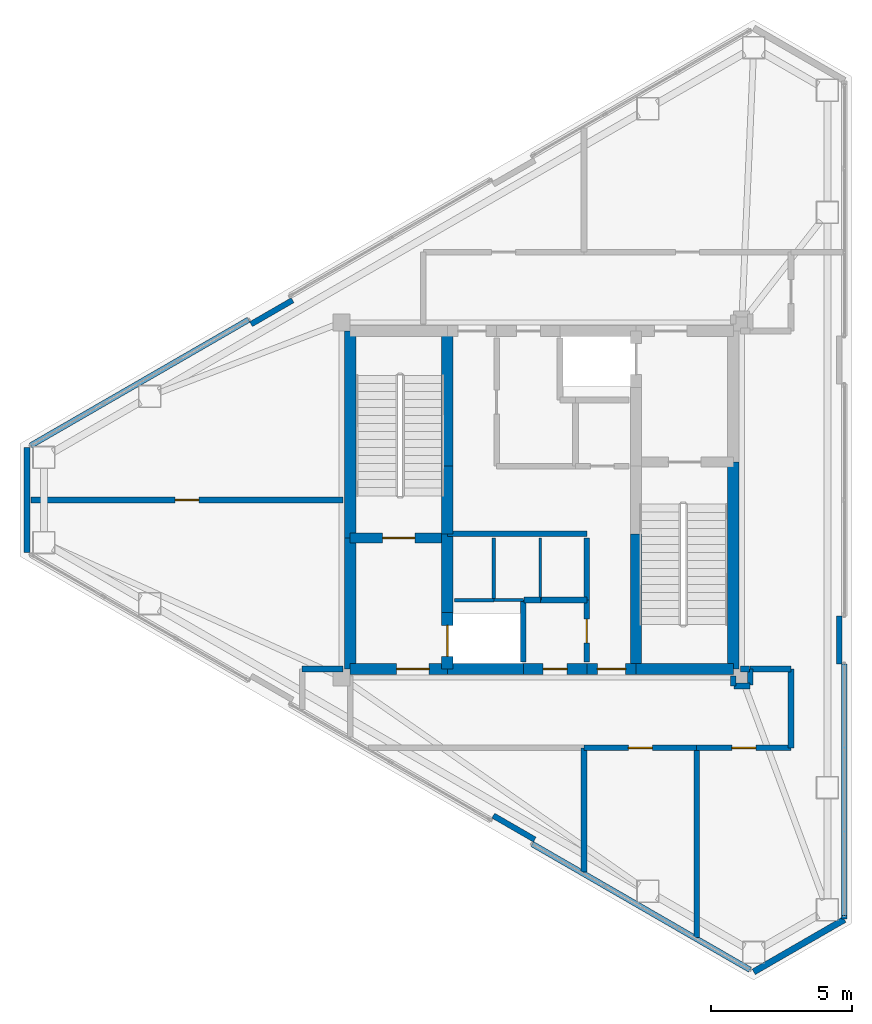
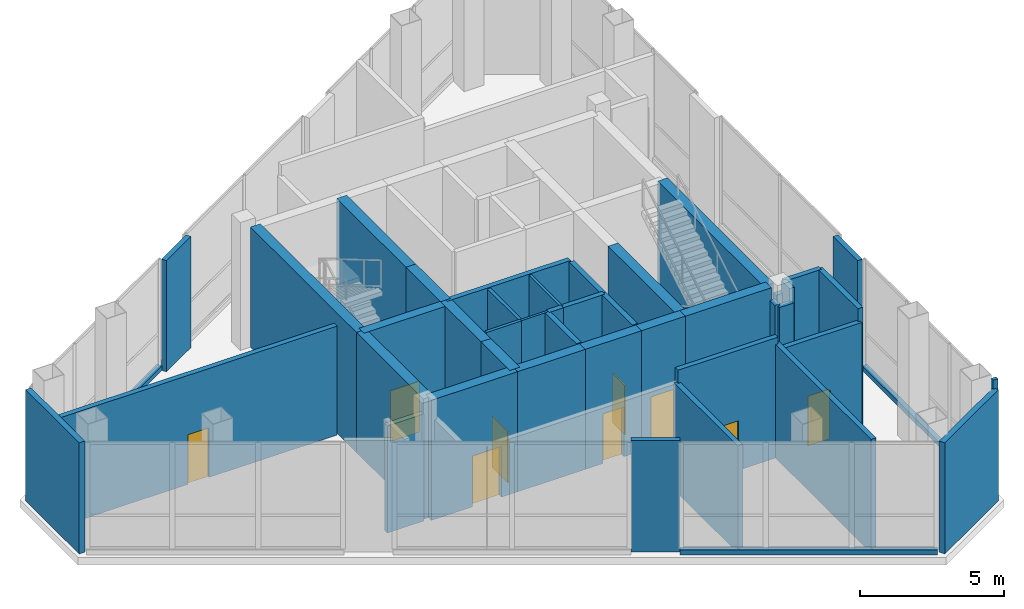
# One storey, part 10 of 13: 45 walls, 9 doors, 9 openings.
"""IFC4 building model written with IfcOpenShell, lengths in metres."""

import ifcopenshell
import ifcopenshell.guid

model = None  # the IFC model being written
_history = None  # IfcOwnerHistory: only IFC2X3 demands one
_inside = {}  # id of a spatial element -> (the spatial element, [elements in it])
_under = {}  # id of a project, library or spatial element -> (it, [spatial elements below it])
_declared = {}  # id of a project -> (the project, [libraries it declares])
_typed = {}  # id of a type object -> (the type object, [elements of that type])
_made_of = {}  # id of a material, layer set ... -> (it, [elements and type objects made of it])


def new_model(schema):
    """Start an empty IFC model of exactly this schema.

    Asked for "IFC4X3", IfcOpenShell would pick the latest addendum, in which some entities
    have other attributes; the version numbers below select the first issue.
    IFC2X3 requires an IfcOwnerHistory on every rooted entity: one is made here for all.
    """
    global model, _history
    if schema == "IFC4X3":
        model = ifcopenshell.file(schema_version=(4, 3, 0, 0))
    else:
        model = ifcopenshell.file(schema=schema)
    _inside.clear()
    _under.clear()
    _declared.clear()
    _typed.clear()
    _made_of.clear()
    _history = None
    if model.schema == "IFC2X3":
        org = make("IfcOrganization", Name="unknown")
        user = make(
            "IfcPersonAndOrganization",
            ThePerson=make("IfcPerson", FamilyName="unknown"),
            TheOrganization=org,
        )
        app = make(
            "IfcApplication",
            ApplicationDeveloper=org,
            Version="unknown",
            ApplicationFullName="unknown",
            ApplicationIdentifier="unknown",
        )
        _history = make(
            "IfcOwnerHistory",
            OwningUser=user,
            OwningApplication=app,
            ChangeAction="ADDED",
            CreationDate=0,
        )
    return model


def make(cls, **values):
    """One entity of the class cls with the attributes given. An attribute that is None is left unset."""
    return model.create_entity(
        cls, **{name: value for name, value in values.items() if value is not None}
    )


def rooted(cls, **values):
    """An entity with a GlobalId (a new one), such as an element, a storey or a relation."""
    return make(cls, GlobalId=ifcopenshell.guid.new(), OwnerHistory=_history, **values)


def si_unit(unit_type, name, prefix=None):
    """IfcSIUnit, for example si_unit("LENGTHUNIT", "METRE", prefix="MILLI")."""
    return make("IfcSIUnit", UnitType=unit_type, Prefix=prefix, Name=name)


def assignment(units):
    """IfcUnitAssignment: the units of a project."""
    return None if units is None else make("IfcUnitAssignment", Units=units)


def point(xyz):
    """IfcCartesianPoint."""
    return None if xyz is None else make("IfcCartesianPoint", Coordinates=xyz)


def direction(xyz):
    """IfcDirection."""
    return None if xyz is None else make("IfcDirection", DirectionRatios=xyz)


def frame(location, z_axis=None, x_axis=None):
    """IfcAxis2Placement3D, a coordinate frame: its origin and axes. An axis left out is left unset."""
    return make(
        "IfcAxis2Placement3D",
        Location=point(location),
        Axis=direction(z_axis),
        RefDirection=direction(x_axis),
    )


def frame_2d(location, x_axis=None):
    """IfcAxis2Placement2D, a coordinate frame in the plane: its origin and x axis."""
    return make(
        "IfcAxis2Placement2D", Location=point(location), RefDirection=direction(x_axis)
    )


def origin():
    """The frame at (0, 0, 0) with its axes left unset."""
    return frame((0.0, 0.0, 0.0))


def place(relative_to, where):
    """IfcLocalPlacement: puts the frame where relative to a parent placement (None: the world)."""
    return make(
        "IfcLocalPlacement", PlacementRelTo=relative_to, RelativePlacement=where
    )


def context(
    kind, dimensions, precision=None, world=None, true_north=None, identifier=None
):
    """IfcGeometricRepresentationContext, for example the 3D "Model" context."""
    return make(
        "IfcGeometricRepresentationContext",
        ContextIdentifier=identifier,
        ContextType=kind,
        CoordinateSpaceDimension=dimensions,
        Precision=precision,
        WorldCoordinateSystem=world,
        TrueNorth=true_north,
    )


def subcontext(parent, identifier, kind, view, scale=None):
    """IfcGeometricRepresentationSubContext, for example "Body" below "Model"."""
    return make(
        "IfcGeometricRepresentationSubContext",
        ContextIdentifier=identifier,
        ContextType=kind,
        ParentContext=parent,
        TargetScale=scale,
        TargetView=view,
    )


def project(units=None, contexts=None):
    """IfcProject with its units and contexts."""
    return rooted(
        "IfcProject",
        Name="project",
        RepresentationContexts=contexts,
        UnitsInContext=assignment(units),
    )


def spatial(cls, under=None, at=None, **own):
    """A site, building, storey or space (cls), placed at a placement, below another one or the project."""
    s = rooted(cls, ObjectPlacement=at, **own)
    if under is not None:
        _under.setdefault(under.id(), (under, []))[1].append(s)
    return s


def profile(cls, at=None, kind="AREA", **sizes):
    """A parametric profile (cls). Its sizes go by their IFC names, for example OverallWidth=200.0."""
    return make(cls, ProfileType=kind, Position=at, **sizes)


def rectangle(**sizes):
    """IfcRectangleProfileDef."""
    return profile("IfcRectangleProfileDef", **sizes)


def extrude(swept, where, along, depth):
    """IfcExtrudedAreaSolid: the profile swept, set in the frame where, extruded along a direction by depth."""
    return make(
        "IfcExtrudedAreaSolid",
        SweptArea=swept,
        Position=where,
        ExtrudedDirection=direction(along),
        Depth=depth,
    )


def shape(context_of_items, identifier, shape_type, items):
    """IfcShapeRepresentation: the items that make up one representation, for example the "Body"."""
    return make(
        "IfcShapeRepresentation",
        ContextOfItems=context_of_items,
        RepresentationIdentifier=identifier,
        RepresentationType=shape_type,
        Items=items,
    )


def material(Name=None, Category=None):
    """IfcMaterial."""
    return make("IfcMaterial", Name=Name, Category=Category)


def layer(
    of_material, thickness, ventilated=None, Name=None, Category=None, Priority=None
):
    """IfcMaterialLayer: one layer of a wall or slab, of a material (None: an air gap)."""
    return make(
        "IfcMaterialLayer",
        Material=of_material,
        LayerThickness=thickness,
        IsVentilated=ventilated,
        Name=Name,
        Category=Category,
        Priority=Priority,
    )


def layer_set(layers, Name=None):
    """IfcMaterialLayerSet."""
    return make("IfcMaterialLayerSet", MaterialLayers=layers, LayerSetName=Name)


def made_of(thing, what):
    """Note that an element or type object is made of a material, layer set ...; save() writes the relation."""
    if what is not None:
        _made_of.setdefault(what.id(), (what, []))[1].append(thing)
    return thing


def type_object(cls, material=None, **own):
    """A type object (cls), such as IfcWallType, which elements share."""
    return made_of(rooted(cls, **own), material)


def element(
    cls,
    number,
    at=None,
    inside=None,
    cuts=None,
    type_object=None,
    material=None,
    context=None,
    identifier="Body",
    shape_type=None,
    held_by="IfcProductDefinitionShape",
    body=None,
    shapes=None,
    **own,
):
    """One element of the class cls, such as IfcWall. Its Tag is "e" and its number.

    at: its placement. inside: the storey or other place that contains it. cuts: it is an
    opening in that element (IfcRelVoidsElement). A single representation is given by context,
    identifier, shape_type and body (its items); several are given by shapes. held_by: the class
    of the entity that holds the representations. save() writes the other relations.
    """
    e = rooted(cls, Tag="e%d" % number, ObjectPlacement=at, **own)
    if body is not None:
        shapes = [shape(context, identifier, shape_type, body)]
    if shapes is not None:
        e.Representation = make(held_by, Representations=shapes)
    if inside is not None:
        _inside.setdefault(inside.id(), (inside, []))[1].append(e)
    if cuts is not None:
        rooted(
            "IfcRelVoidsElement", RelatingBuildingElement=cuts, RelatedOpeningElement=e
        )
    if type_object is not None:
        _typed.setdefault(type_object.id(), (type_object, []))[1].append(e)
    return made_of(e, material)


def fill(opening, filler):
    """IfcRelFillsElement: the door or window that sits in an opening."""
    return rooted(
        "IfcRelFillsElement",
        RelatingOpeningElement=opening,
        RelatedBuildingElement=filler,
    )


def aggregate(whole, parts):
    """IfcRelAggregates: a whole, such as a stair, and the parts it consists of."""
    return rooted("IfcRelAggregates", RelatingObject=whole, RelatedObjects=parts)


def save(model, path):
    """Write the relations noted so far, then the file.

    IfcRelAggregates (storeys below a building ...), IfcRelContainedInSpatialStructure (elements
    in a storey), IfcRelDefinesByType, IfcRelAssociatesMaterial and IfcRelDeclares: one each for
    every whole, place, type object, material and project.
    """
    for whole, parts in _under.values():
        aggregate(whole, parts)
    for where, things in _inside.values():
        rooted(
            "IfcRelContainedInSpatialStructure",
            RelatedElements=things,
            RelatingStructure=where,
        )
    for kind, things in _typed.values():
        rooted("IfcRelDefinesByType", RelatedObjects=things, RelatingType=kind)
    for what, things in _made_of.values():
        rooted("IfcRelAssociatesMaterial", RelatedObjects=things, RelatingMaterial=what)
    for by, libraries in _declared.values():
        rooted("IfcRelDeclares", RelatingContext=by, RelatedDefinitions=libraries)
    model.write(path)


model = new_model("IFC4")

# Units and contexts
model_context = context("Model", 3, precision=1e-05, world=origin(), true_north=direction((0.0, 1.0)))
body_context = subcontext(model_context, "Body", "Model", "MODEL_VIEW")
ifc_project = project(units=[si_unit("LENGTHUNIT", "METRE"), si_unit("AREAUNIT", "SQUARE_METRE"), si_unit("VOLUMEUNIT", "CUBIC_METRE"), si_unit("PLANEANGLEUNIT", "RADIAN"), si_unit("MASSUNIT", "GRAM", prefix="KILO")], contexts=[model_context])

# Site, building, storey
site_placement = place(None, origin())
site = spatial("IfcSite", under=ifc_project, at=site_placement, CompositionType="ELEMENT")
building_placement = place(site_placement, origin())
building = spatial("IfcBuilding", under=site, at=building_placement, Name="Mersakhor Tower and Convention Hall", CompositionType="ELEMENT")
storey_placement = place(building_placement, frame((0.0, 0.0, 258.60009765625)))
storey = spatial("IfcBuildingStorey", under=building, at=storey_placement, Name="L72", CompositionType="ELEMENT", Elevation=258.60009765625)

# Walls
ifc_material_1 = material(Name="Precast concrete C40/50", Category="concrete")
ifc_layer_1 = layer(ifc_material_1, 0.22509765625)
ifc_layer_set_1 = layer_set([ifc_layer_1], Name="Precast concrete C40/50")
wall_type_1 = type_object("IfcWallType", Name="WL-EXT-225", PredefinedType="SOLIDWALL", material=ifc_layer_set_1)
wall_1_placement = place(storey_placement, frame((39.742919921875, 11.858154296875, 0.0), z_axis=(0.0, 0.0, 1.0), x_axis=(-0.866038962515, -0.499976514854, 0.0)))
element("IfcWall", 1, at=wall_1_placement, inside=storey, type_object=wall_type_1, Name="L72 Chamfer Braced Spandrel Wall C2", PredefinedType="SOLIDWALL", context=body_context, shape_type="SweptSolid", body=[
    extrude(rectangle(XDim=3.715576171875, YDim=0.22509765625, at=frame_2d((1.85791015625, 0.0))), origin(), (0.0, 0.0, 1.0), 4.699951171875),
])
wall_2_placement = place(storey_placement, frame((10.73193359375, 24.892333984375, 0.0), z_axis=(0.0, 0.0, 1.0), x_axis=(0.0, 1.0, 0.0)))
element("IfcWall", 2, at=wall_2_placement, inside=storey, type_object=wall_type_1, Name="L72 Chamfer Braced Spandrel Wall C3", PredefinedType="SOLIDWALL", context=body_context, shape_type="SweptSolid", body=[
    extrude(rectangle(XDim=3.71533203125, YDim=0.22509765625, at=frame_2d((1.857666015625, 0.0))), origin(), (0.0, 0.0, 1.0), 4.699951171875),
])
ifc_material_2 = material(Name="Precast concrete C40/50", Category="concrete")
ifc_layer_2 = layer(ifc_material_2, 0.199951171875)
ifc_layer_set_2 = layer_set([ifc_layer_2], Name="Precast concrete C40/50")
wall_type_2 = type_object("IfcWallType", Name="WL-PAR-200", PredefinedType="PARAPET", material=ifc_layer_set_2)
wall_3_placement = place(storey_placement, frame((10.86181640625, 28.6826171875, 0.0), z_axis=(0.0, 0.0, 1.0), x_axis=(0.866026655105, 0.499997832642, 0.0)))
element("IfcWall", 3, at=wall_3_placement, inside=storey, type_object=wall_type_2, Name="L72 Curtain Wall Upstand Sill F1-B1", PredefinedType="PARAPET", context=body_context, shape_type="SweptSolid", body=[
    extrude(rectangle(XDim=8.927734375, YDim=0.199951171875, at=frame_2d((4.4638671875, 0.0))), origin(), (0.0, 0.0, 1.0), 0.199951171875),
])
wall_4_placement = place(storey_placement, frame((18.68359375, 32.99072265625, 0.0), z_axis=(0.0, 0.0, 1.0), x_axis=(0.866025371046, 0.500000056704, 0.0)))
element("IfcWall", 4, at=wall_4_placement, inside=storey, type_object=wall_type_2, Name="L72 Column Pier Cladding Wall F1-C1", PredefinedType="PARAPET", context=body_context, shape_type="SweptSolid", body=[
    extrude(rectangle(XDim=1.7001953125, YDim=0.199951171875, at=frame_2d((0.85009765625, 0.0))), origin(), (0.0, 0.0, 1.0), 4.699951171875),
])
wall_5_placement = place(storey_placement, frame((39.742919921875, 20.93603515625, 0.0), z_axis=(0.0, 0.0, 1.0), x_axis=(0.0, -1.0, 0.0)))
element("IfcWall", 5, at=wall_5_placement, inside=storey, type_object=wall_type_2, Name="L72 Curtain Wall Upstand Sill F2-B3", PredefinedType="PARAPET", context=body_context, shape_type="SweptSolid", body=[
    extrude(rectangle(XDim=8.927734375, YDim=0.199951171875, at=frame_2d((4.4638671875, 0.0))), origin(), (0.0, 0.0, 1.0), 0.199951171875),
])
wall_6_placement = place(storey_placement, frame((39.562744140625, 22.635986328125, 0.0), z_axis=(0.0, 0.0, 1.0), x_axis=(0.0, -1.0, 0.0)))
element("IfcWall", 6, at=wall_6_placement, inside=storey, type_object=wall_type_2, Name="L72 Column Pier Cladding Wall F2-C2", PredefinedType="PARAPET", context=body_context, shape_type="SweptSolid", body=[
    extrude(rectangle(XDim=1.699951171875, YDim=0.199951171875, at=frame_2d((0.85009765625, 0.0))), origin(), (0.0, 0.0, 1.0), 4.699951171875),
])
wall_7_placement = place(storey_placement, frame((36.395263671875, 10.07568359375, 0.0), z_axis=(0.0, 0.0, 1.0), x_axis=(-0.866026655105, 0.499997832642, 0.0)))
element("IfcWall", 7, at=wall_7_placement, inside=storey, type_object=wall_type_2, Name="L72 Curtain Wall Upstand Sill F3-B1", PredefinedType="PARAPET", context=body_context, shape_type="SweptSolid", body=[
    extrude(rectangle(XDim=8.927734375, YDim=0.199951171875, at=frame_2d((4.4638671875, 0.0))), origin(), (0.0, 0.0, 1.0), 0.199951171875),
])
wall_8_placement = place(storey_placement, frame((28.753662109375, 14.6953125, 0.0), z_axis=(0.0, 0.0, 1.0), x_axis=(-0.866025371046, 0.500000056704, 0.0)))
element("IfcWall", 8, at=wall_8_placement, inside=storey, type_object=wall_type_2, Name="L72 Column Pier Cladding Wall F3-C1", PredefinedType="PARAPET", context=body_context, shape_type="SweptSolid", body=[
    extrude(rectangle(XDim=1.7001953125, YDim=0.199951171875, at=frame_2d((0.85009765625, 0.0))), origin(), (0.0, 0.0, 1.0), 4.699951171875),
])
ifc_material_3 = material(Name="Lightweight gypsum partition", Category="other")
ifc_layer_3 = layer(ifc_material_3, 0.10009765625)
ifc_layer_set_3 = layer_set([ifc_layer_3], Name="Lightweight gypsum partition")
wall_type_3 = type_object("IfcWallType", Name="WL-PRT-100", PredefinedType="PARTITIONING", material=ifc_layer_set_3)
wall_9_placement = place(storey_placement, frame((27.300048828125, 23.199951171875, 0.0), z_axis=(0.0, 0.0, 1.0), x_axis=(1.0, 0.0, 0.0)))
element("IfcWall", 9, at=wall_9_placement, inside=storey, type_object=wall_type_3, Name="L72 Interior Partition Wall P-002", PredefinedType="PARTITIONING", context=body_context, shape_type="SweptSolid", body=[
    extrude(rectangle(XDim=1.050048828125, YDim=0.10009765625, at=frame_2d((0.52490234375, 0.0))), origin(), (0.0, 0.0, 1.0), 5.079833984375),
])
wall_10_placement = place(storey_placement, frame((28.949951171875, 25.39990234375, 0.0), z_axis=(0.0, 0.0, 1.0), x_axis=(0.0, -1.0, 0.0)))
element("IfcWall", 10, at=wall_10_placement, inside=storey, type_object=wall_type_3, Name="L72 Interior Partition Wall P-008", PredefinedType="PARTITIONING", context=body_context, shape_type="SweptSolid", body=[
    extrude(rectangle(XDim=2.199951171875, YDim=0.10009765625, at=frame_2d((1.10009765625, 0.0))), origin(), (0.0, 0.0, 1.0), 5.079833984375),
])
ifc_material_4 = material(Name="Gypsum board acoustic partition", Category="other")
ifc_layer_4 = layer(ifc_material_4, 0.125)
ifc_layer_set_4 = layer_set([ifc_layer_4], Name="Gypsum board acoustic partition")
wall_type_4 = type_object("IfcWallType", Name="WL-PRT-125", PredefinedType="PARTITIONING", material=ifc_layer_set_4)
wall_11_placement = place(storey_placement, frame((25.89990234375, 23.199951171875, 0.0), z_axis=(0.0, 0.0, 1.0), x_axis=(1.0, 0.0, 0.0)))
element("IfcWall", 11, at=wall_11_placement, inside=storey, type_object=wall_type_4, Name="L72 Interior Partition Wall P-001", PredefinedType="PARTITIONING", context=body_context, shape_type="SweptSolid", body=[
    extrude(rectangle(XDim=1.400146484375, YDim=0.125, at=frame_2d((0.7001953125, 0.0))), origin(), (0.0, 0.0, 1.0), 5.079833984375),
])
wall_12_placement = place(storey_placement, frame((27.300048828125, 25.39990234375, 0.0), z_axis=(0.0, 0.0, 1.0), x_axis=(0.0, -1.0, 0.0)))
element("IfcWall", 12, at=wall_12_placement, inside=storey, type_object=wall_type_4, Name="L72 Interior Partition Wall P-007", PredefinedType="PARTITIONING", context=body_context, shape_type="SweptSolid", body=[
    extrude(rectangle(XDim=2.199951171875, YDim=0.125, at=frame_2d((1.10009765625, 0.0))), origin(), (0.0, 0.0, 1.0), 5.079833984375),
])
ifc_material_5 = material(Name="Acoustic concrete blockwork and gypsum board", Category="masonry")
ifc_layer_5 = layer(ifc_material_5, 0.199951171875)
ifc_layer_set_5 = layer_set([ifc_layer_5], Name="Acoustic concrete blockwork and gypsum board")
wall_type_5 = type_object("IfcWallType", Name="WL-PRT-200", PredefinedType="PARTITIONING", material=ifc_layer_set_5)
wall_13_placement = place(storey_placement, frame((25.64990234375, 25.550048828125, 0.0), z_axis=(0.0, 0.0, 1.0), x_axis=(1.0, 0.0, 0.0)))
element("IfcWall", 13, at=wall_13_placement, inside=storey, type_object=wall_type_5, Name="L72 High-Rise Lift Bank Front Wall", PredefinedType="PARTITIONING", context=body_context, shape_type="SweptSolid", body=[
    extrude(rectangle(XDim=4.9501953125, YDim=0.199951171875, at=frame_2d((2.47509765625, 0.0))), origin(), (0.0, 0.0, 1.0), 5.079833984375),
])
wall_14_placement = place(storey_placement, frame((28.35009765625, 23.199951171875, 0.0), z_axis=(0.0, 0.0, 1.0), x_axis=(0.0, -1.0, 0.0)))
element("IfcWall", 14, at=wall_14_placement, inside=storey, type_object=wall_type_5, Name="L72 Interior Partition Wall P-003", PredefinedType="PARTITIONING", context=body_context, shape_type="SweptSolid", body=[
    extrude(rectangle(XDim=2.199951171875, YDim=0.199951171875, at=frame_2d((1.10009765625, 0.0))), origin(), (0.0, 0.0, 1.0), 5.079833984375),
])
wall_15_placement = place(storey_placement, frame((28.949951171875, 23.199951171875, 0.0), z_axis=(0.0, 0.0, 1.0), x_axis=(-1.0, 0.0, 0.0)))
element("IfcWall", 15, at=wall_15_placement, inside=storey, type_object=wall_type_5, Name="L72 Interior Partition Wall P-009", PredefinedType="PARTITIONING", context=body_context, shape_type="SweptSolid", body=[
    extrude(rectangle(XDim=0.570068359375, YDim=0.199951171875, at=frame_2d((0.28515625, 0.0))), origin(), (0.0, 0.0, 1.0), 5.079833984375),
])
wall_16_placement = place(storey_placement, frame((30.60009765625, 25.39990234375, 0.0), z_axis=(0.0, 0.0, 1.0), x_axis=(0.0, -1.0, 0.0)))
element("IfcWall", 16, at=wall_16_placement, inside=storey, type_object=wall_type_5, Name="L72 Interior Partition Wall P-010", PredefinedType="PARTITIONING", context=body_context, shape_type="SweptSolid", body=[
    extrude(rectangle(XDim=2.199951171875, YDim=0.199951171875, at=frame_2d((1.10009765625, 0.0))), origin(), (0.0, 0.0, 1.0), 5.079833984375),
])
wall_17_placement = place(storey_placement, frame((30.60009765625, 23.199951171875, 0.0), z_axis=(0.0, 0.0, 1.0), x_axis=(-1.0, 0.0, 0.0)))
element("IfcWall", 17, at=wall_17_placement, inside=storey, type_object=wall_type_5, Name="L72 Interior Partition Wall P-011", PredefinedType="PARTITIONING", context=body_context, shape_type="SweptSolid", body=[
    extrude(rectangle(XDim=1.650146484375, YDim=0.199951171875, at=frame_2d((0.8251953125, 0.0))), origin(), (0.0, 0.0, 1.0), 5.079833984375),
])

# Wall, opening, door
wall_18_placement = place(storey_placement, frame((30.60009765625, 21.0, 0.0), z_axis=(0.0, 0.0, 1.0), x_axis=(0.0, 1.0, 0.0)))
wall_18 = element("IfcWall", 18, at=wall_18_placement, inside=storey, type_object=wall_type_5, Name="L72 Interior Partition Wall P-012", PredefinedType="PARTITIONING", context=body_context, shape_type="SweptSolid", body=[
    extrude(rectangle(XDim=2.199951171875, YDim=0.199951171875, at=frame_2d((1.10009765625, 0.0))), origin(), (0.0, 0.0, 1.0), 5.079833984375),
])
opening_1_placement = place(wall_18_placement, frame((0.675048828125, 0.0, 0.0)))
opening_1 = element("IfcOpeningElement", 19, at=opening_1_placement, cuts=wall_18, Name="Opening SVD-01", PredefinedType="OPENING", context=body_context, shape_type="SweptSolid", body=[
    extrude(rectangle(XDim=0.85009765625, YDim=2.10009765625, at=frame_2d((0.425048828125, 1.050048828125))), frame((0.0, 0.10986328125, 0.0), z_axis=(0.0, -1.0, 0.0), x_axis=(1.0, 0.0, 0.0)), (0.0, 0.0, 1.0), 0.219970703125),
])
ifc_material_6 = material(Name="Fire-rated hardwood leaf and painted steel frame", Category="steel")
door_type_1 = type_object("IfcDoorType", Name="DR-INT-SVC-085x210", OperationType="NOTDEFINED", PredefinedType="DOOR", material=ifc_material_6)
door_1_placement = place(opening_1_placement, origin())
door_1 = element("IfcDoor", 20, at=door_1_placement, inside=storey, type_object=door_type_1, Name="L72 Central Passenger Lift Lobby to Core Electrical Distribution Plant Room Door", OperationType="SINGLE_SWING_RIGHT", OverallHeight=2.10009765625, OverallWidth=0.85009765625, PredefinedType="DOOR", context=body_context, shape_type="SweptSolid", body=[
    extrude(rectangle(XDim=0.85009765625, YDim=2.10009765625, at=frame_2d((0.425048828125, 1.050048828125))), frame((0.0, 0.02490234375, 0.0), z_axis=(0.0, -1.0, 0.0), x_axis=(1.0, 0.0, 0.0)), (0.0, 0.0, 1.0), 0.050048828125),
])
fill(opening_1, door_1)

# Walls
wall_19_placement = place(storey_placement, frame((35.800048828125, 20.5, 0.0), z_axis=(0.0, 0.0, 1.0), x_axis=(0.0, -1.0, 0.0)))
element("IfcWall", 21, at=wall_19_placement, inside=storey, type_object=wall_type_5, Name="L72 Interior Partition Wall P-024", PredefinedType="PARTITIONING", context=body_context, shape_type="SweptSolid", body=[
    extrude(rectangle(XDim=0.35009765625, YDim=0.199951171875, at=frame_2d((0.175048828125, 0.0))), origin(), (0.0, 0.0, 1.0), 4.60498046875),
])
wall_20_placement = place(storey_placement, frame((35.830078125, 20.14990234375, 0.0), z_axis=(0.0, 0.0, 1.0), x_axis=(1.0, 0.0, 0.0)))
element("IfcWall", 22, at=wall_20_placement, inside=storey, type_object=wall_type_5, Name="L72 Interior Partition Wall P-025", PredefinedType="PARTITIONING", context=body_context, shape_type="SweptSolid", body=[
    extrude(rectangle(XDim=0.56982421875, YDim=0.199951171875, at=frame_2d((0.284912109375, 0.0))), origin(), (0.0, 0.0, 1.0), 4.5283203125),
])
wall_21_placement = place(storey_placement, frame((36.39990234375, 20.179931640625, 0.0), z_axis=(0.0, 0.0, 1.0), x_axis=(0.0, 1.0, 0.0)))
element("IfcWall", 23, at=wall_21_placement, inside=storey, type_object=wall_type_5, Name="L72 Interior Partition Wall P-026", PredefinedType="PARTITIONING", context=body_context, shape_type="SweptSolid", body=[
    extrude(rectangle(XDim=0.570068359375, YDim=0.199951171875, at=frame_2d((0.28515625, 0.0))), origin(), (0.0, 0.0, 1.0), 5.079833984375),
])
wall_22_placement = place(storey_placement, frame((36.39990234375, 20.75, 0.0), z_axis=(0.0, 0.0, 1.0), x_axis=(1.0, 0.0, 0.0)))
element("IfcWall", 24, at=wall_22_placement, inside=storey, type_object=wall_type_5, Name="L72 Interior Partition Wall P-027", PredefinedType="PARTITIONING", context=body_context, shape_type="SweptSolid", body=[
    extrude(rectangle(XDim=1.4501953125, YDim=0.199951171875, at=frame_2d((0.72509765625, 0.0))), origin(), (0.0, 0.0, 1.0), 5.079833984375),
])
wall_23_placement = place(storey_placement, frame((37.85009765625, 20.75, 0.0), z_axis=(0.0, 0.0, 1.0), x_axis=(0.0, -1.0, 0.0)))
element("IfcWall", 25, at=wall_23_placement, inside=storey, type_object=wall_type_5, Name="L72 Interior Partition Wall P-028", PredefinedType="PARTITIONING", context=body_context, shape_type="SweptSolid", body=[
    extrude(rectangle(XDim=2.800048828125, YDim=0.199951171875, at=frame_2d((1.39990234375, 0.0))), origin(), (0.0, 0.0, 1.0), 5.079833984375),
])

# Wall, opening, door
wall_24_placement = place(storey_placement, frame((37.85009765625, 17.949951171875, 0.0), z_axis=(0.0, 0.0, 1.0), x_axis=(-1.0, 0.0, 0.0)))
wall_24 = element("IfcWall", 26, at=wall_24_placement, inside=storey, type_object=wall_type_5, Name="L72 Interior Partition Wall P-029", PredefinedType="PARTITIONING", context=body_context, shape_type="SweptSolid", body=[
    extrude(rectangle(XDim=3.35009765625, YDim=0.199951171875, at=frame_2d((1.675048828125, 0.0))), origin(), (0.0, 0.0, 1.0), 4.5283203125),
])
opening_2_placement = place(wall_24_placement, frame((1.25, 0.0, 0.0)))
opening_2 = element("IfcOpeningElement", 27, at=opening_2_placement, cuts=wall_24, Name="Opening SVD-01", PredefinedType="OPENING", context=body_context, shape_type="SweptSolid", body=[
    extrude(rectangle(XDim=0.85009765625, YDim=2.10009765625, at=frame_2d((0.425048828125, 1.050048828125))), frame((0.0, 0.10986328125, 0.0), z_axis=(0.0, -1.0, 0.0), x_axis=(1.0, 0.0, 0.0)), (0.0, 0.0, 1.0), 0.219970703125),
])
door_2_placement = place(opening_2_placement, origin())
door_2 = element("IfcDoor", 28, at=door_2_placement, inside=storey, type_object=door_type_1, Name="L72 L72 South Mechanical Plant Corridor to High-Zone Booster Water Pump Room Door", OperationType="SINGLE_SWING_LEFT", OverallHeight=2.10009765625, OverallWidth=0.85009765625, PredefinedType="DOOR", context=body_context, shape_type="SweptSolid", body=[
    extrude(rectangle(XDim=0.85009765625, YDim=2.10009765625, at=frame_2d((0.425048828125, 1.050048828125))), frame((0.0, 0.02490234375, 0.0), z_axis=(0.0, -1.0, 0.0), x_axis=(1.0, 0.0, 0.0)), (0.0, 0.0, 1.0), 0.050048828125),
])
fill(opening_2, door_2)

wall_25_placement = place(storey_placement, frame((34.5, 17.949951171875, 0.0), z_axis=(0.0, 0.0, 1.0), x_axis=(-1.0, 0.0, 0.0)))
wall_25 = element("IfcWall", 29, at=wall_25_placement, inside=storey, type_object=wall_type_5, Name="L72 Interior Partition Wall P-030", PredefinedType="PARTITIONING", context=body_context, shape_type="SweptSolid", body=[
    extrude(rectangle(XDim=4.0, YDim=0.199951171875, at=frame_2d((2.0, 0.0))), origin(), (0.0, 0.0, 1.0), 5.079833984375),
])
opening_3_placement = place(wall_25_placement, frame((1.574951171875, 0.0, 0.0)))
opening_3 = element("IfcOpeningElement", 30, at=opening_3_placement, cuts=wall_25, Name="Opening SVD-01", PredefinedType="OPENING", context=body_context, shape_type="SweptSolid", body=[
    extrude(rectangle(XDim=0.85009765625, YDim=2.10009765625, at=frame_2d((0.425048828125, 1.050048828125))), frame((0.0, 0.10986328125, 0.0), z_axis=(0.0, -1.0, 0.0), x_axis=(1.0, 0.0, 0.0)), (0.0, 0.0, 1.0), 0.219970703125),
])
door_3_placement = place(opening_3_placement, origin())
door_3 = element("IfcDoor", 31, at=door_3_placement, inside=storey, type_object=door_type_1, Name="L72 L72 South Mechanical Plant Corridor to Emergency Standby Power Switchgear Room Door", OperationType="SINGLE_SWING_RIGHT", OverallHeight=2.10009765625, OverallWidth=0.85009765625, PredefinedType="DOOR", context=body_context, shape_type="SweptSolid", body=[
    extrude(rectangle(XDim=0.85009765625, YDim=2.10009765625, at=frame_2d((0.425048828125, 1.050048828125))), frame((0.0, 0.02490234375, 0.0), z_axis=(0.0, -1.0, 0.0), x_axis=(1.0, 0.0, 0.0)), (0.0, 0.0, 1.0), 0.050048828125),
])
fill(opening_3, door_3)

wall_26_placement = place(storey_placement, frame((21.949951171875, 26.75, 0.0), z_axis=(0.0, 0.0, 1.0), x_axis=(-1.0, 0.0, 0.0)))
wall_26 = element("IfcWall", 32, at=wall_26_placement, inside=storey, type_object=wall_type_5, Name="L72 Interior Partition Wall P-037", PredefinedType="PARTITIONING", context=body_context, shape_type="SweptSolid", body=[
    extrude(rectangle(XDim=11.08154296875, YDim=0.199951171875, at=frame_2d((5.540771484375, 0.0))), origin(), (0.0, 0.0, 1.0), 4.60498046875),
])
opening_4_placement = place(wall_26_placement, frame((5.11572265625, 0.0, 0.0)))
opening_4 = element("IfcOpeningElement", 33, at=opening_4_placement, cuts=wall_26, Name="Opening SVD-01", PredefinedType="OPENING", context=body_context, shape_type="SweptSolid", body=[
    extrude(rectangle(XDim=0.85009765625, YDim=2.10009765625, at=frame_2d((0.425048828125, 1.050048828125))), frame((0.0, 0.10986328125, 0.0), z_axis=(0.0, -1.0, 0.0), x_axis=(1.0, 0.0, 0.0)), (0.0, 0.0, 1.0), 0.219970703125),
])
door_4_placement = place(opening_4_placement, origin())
door_4 = element("IfcDoor", 34, at=door_4_placement, inside=storey, type_object=door_type_1, Name="L72 Upper Zone Air Handling Plant Room to Crown Chiller Cooling Plant Room Door", OperationType="SINGLE_SWING_RIGHT", OverallHeight=2.10009765625, OverallWidth=0.85009765625, PredefinedType="DOOR", context=body_context, shape_type="SweptSolid", body=[
    extrude(rectangle(XDim=0.85009765625, YDim=2.10009765625, at=frame_2d((0.425048828125, 1.050048828125))), frame((0.0, 0.02490234375, 0.0), z_axis=(0.0, -1.0, 0.0), x_axis=(1.0, 0.0, 0.0)), (0.0, 0.0, 1.0), 0.050048828125),
])
fill(opening_4, door_4)

# Walls
wall_27_placement = place(storey_placement, frame((21.949951171875, 20.75, 0.0), z_axis=(0.0, 0.0, 1.0), x_axis=(-1.0, 0.0, 0.0)))
element("IfcWall", 35, at=wall_27_placement, inside=storey, type_object=wall_type_5, Name="L72 Interior Partition Wall P-039", PredefinedType="PARTITIONING", context=body_context, shape_type="SweptSolid", body=[
    extrude(rectangle(XDim=1.449951171875, YDim=0.199951171875, at=frame_2d((0.72509765625, 0.0))), origin(), (0.0, 0.0, 1.0), 4.5283203125),
])
wall_28_placement = place(storey_placement, frame((34.5, 17.949951171875, 0.0), z_axis=(0.0, 0.0, 1.0), x_axis=(0.0, -1.0, 0.0)))
element("IfcWall", 36, at=wall_28_placement, inside=storey, type_object=wall_type_5, Name="L72 Interior Partition Wall P-040", PredefinedType="PARTITIONING", context=body_context, shape_type="SweptSolid", body=[
    extrude(rectangle(XDim=6.722412109375, YDim=0.199951171875, at=frame_2d((3.361328125, 0.0))), origin(), (0.0, 0.0, 1.0), 4.8046875),
])
wall_29_placement = place(storey_placement, frame((30.5, 13.537109375, 0.0), z_axis=(0.0, 0.0, 1.0), x_axis=(0.0, 1.0, 0.0)))
element("IfcWall", 37, at=wall_29_placement, inside=storey, type_object=wall_type_5, Name="L72 Interior Partition Wall P-041", PredefinedType="PARTITIONING", context=body_context, shape_type="SweptSolid", body=[
    extrude(rectangle(XDim=4.412841796875, YDim=0.199951171875, at=frame_2d((2.20654296875, 0.0))), origin(), (0.0, 0.0, 1.0), 4.5283203125),
])
wall_30_placement = place(storey_placement, frame((36.3701171875, 20.75, 0.0), z_axis=(0.0, 0.0, 1.0), x_axis=(-1.0, 0.0, 0.0)))
element("IfcWall", 38, at=wall_30_placement, inside=storey, type_object=wall_type_5, Name="L72 Interior Partition Wall P-042", PredefinedType="PARTITIONING", context=body_context, shape_type="SweptSolid", body=[
    extrude(rectangle(XDim=0.320068359375, YDim=0.199951171875, at=frame_2d((0.16015625, 0.0))), origin(), (0.0, 0.0, 1.0), 4.60498046875),
])
wall_31_placement = place(storey_placement, frame((39.742919921875, 12.00830078125, 0.0), z_axis=(0.0, 0.0, 1.0), x_axis=(0.0, -1.0, 0.0)))
element("IfcWall", 39, at=wall_31_placement, inside=storey, type_object=wall_type_5, Name="L72 Interior Partition Wall P-044", PredefinedType="PARTITIONING", context=body_context, shape_type="SweptSolid", body=[
    extrude(rectangle(XDim=0.13525390625, YDim=0.199951171875, at=frame_2d((0.067626953125, 0.0))), origin(), (0.0, 0.0, 1.0), 5.079833984375),
])

# Wall, opening, door
ifc_material_7 = material(Name="Concrete C50/60", Category="concrete")
ifc_layer_6 = layer(ifc_material_7, 0.35009765625)
ifc_layer_set_6 = layer_set([ifc_layer_6], Name="Concrete C50/60")
wall_type_6 = type_object("IfcWallType", Name="WL-SHR-350", PredefinedType="SHEAR", material=ifc_layer_set_6)
wall_32_placement = place(storey_placement, frame((22.199951171875, 25.39990234375, 0.0), z_axis=(0.0, 0.0, 1.0), x_axis=(1.0, 0.0, 0.0)))
wall_32 = element("IfcWall", 40, at=wall_32_placement, inside=storey, type_object=wall_type_6, Name="L72 Core Wall CS-ST1-S", PredefinedType="SHEAR", context=body_context, shape_type="SweptSolid", body=[
    extrude(rectangle(XDim=3.449951171875, YDim=0.35009765625, at=frame_2d((1.72509765625, 0.0))), origin(), (0.0, 0.0, 1.0), 5.079833984375),
])
opening_5_placement = place(wall_32_placement, frame((1.14990234375, 0.0, 0.0)))
opening_5 = element("IfcOpeningElement", 41, at=opening_5_placement, cuts=wall_32, Name="Opening SD-01", PredefinedType="OPENING", context=body_context, shape_type="SweptSolid", body=[
    extrude(rectangle(XDim=1.14990234375, YDim=2.14990234375, at=frame_2d((0.574951171875, 1.074951171875))), frame((0.0, 0.18505859375, 0.0), z_axis=(0.0, -1.0, 0.0), x_axis=(1.0, 0.0, 0.0)), (0.0, 0.0, 1.0), 0.3701171875),
])
ifc_material_8 = material(Name="Fire-rated hardwood leaf and painted steel frame", Category="steel")
door_type_2 = type_object("IfcDoorType", Name="DR-INT-STAIR-115x215", OperationType="NOTDEFINED", PredefinedType="DOOR", material=ifc_material_8)
door_5_placement = place(opening_5_placement, origin())
door_5 = element("IfcDoor", 42, at=door_5_placement, inside=storey, type_object=door_type_2, Name="L72 Exit Stair ST-1 Enclosure Door", OperationType="SINGLE_SWING_LEFT", OverallHeight=2.14990234375, OverallWidth=1.14990234375, PredefinedType="DOOR", context=body_context, shape_type="SweptSolid", body=[
    extrude(rectangle(XDim=1.14990234375, YDim=2.14990234375, at=frame_2d((0.574951171875, 1.074951171875))), frame((0.0, 0.02490234375, 0.0), z_axis=(0.0, -1.0, 0.0), x_axis=(1.0, 0.0, 0.0)), (0.0, 0.0, 1.0), 0.050048828125),
])
fill(opening_5, door_5)

# Walls
ifc_material_9 = material(Name="Concrete C60/75", Category="concrete")
ifc_layer_7 = layer(ifc_material_9, 0.39990234375)
ifc_layer_set_7 = layer_set([ifc_layer_7], Name="Concrete C60/75")
wall_type_7 = type_object("IfcWallType", Name="WL-SHR-400", PredefinedType="SHEAR", material=ifc_layer_set_7)
wall_33_placement = place(storey_placement, frame((22.199951171875, 20.75, 0.0), z_axis=(0.0, 0.0, 1.0), x_axis=(0.0, 1.0, 0.0)))
element("IfcWall", 43, at=wall_33_placement, inside=storey, type_object=wall_type_7, Name="L72 Core Wall CW-W1", PredefinedType="SHEAR", context=body_context, shape_type="SweptSolid", body=[
    extrude(rectangle(XDim=4.64990234375, YDim=0.39990234375, at=frame_2d((2.324951171875, 0.0))), origin(), (0.0, 0.0, 1.0), 5.079833984375),
])
for number, where, z_axis, x_axis, name in (
    (44, (22.199951171875, 25.39990234375, 0.0), (0.0, 0.0, 1.0), (0.0, 1.0, 0.0), "L72 Core Wall CW-W2"),
    (45, (35.800048828125, 28.10009765625, 0.0), (0.0, 0.0, 1.0), (0.0, -1.0, 0.0), "L72 Core Wall CW-E2"),
):
    element("IfcWall", number, at=place(storey_placement, frame(where, z_axis=z_axis, x_axis=x_axis)), inside=storey, type_object=wall_type_7, Name=name, PredefinedType="SHEAR", context=body_context, shape_type="SweptSolid", body=[
        extrude(rectangle(XDim=7.35009765625, YDim=0.39990234375, at=frame_2d((3.675048828125, 0.0))), origin(), (0.0, 0.0, 1.0), 5.079833984375),
    ])
wall_34_placement = place(storey_placement, frame((35.800048828125, 20.75, 0.0), z_axis=(0.0, 0.0, 1.0), x_axis=(-1.0, 0.0, 0.0)))
element("IfcWall", 46, at=wall_34_placement, inside=storey, type_object=wall_type_7, Name="L72 Core Wall CW-S1", PredefinedType="SHEAR", context=body_context, shape_type="SweptSolid", body=[
    extrude(rectangle(XDim=3.449951171875, YDim=0.39990234375, at=frame_2d((1.72509765625, 0.0))), origin(), (0.0, 0.0, 1.0), 5.079833984375),
])

# Wall, opening, door
wall_35_placement = place(storey_placement, frame((32.35009765625, 20.75, 0.0), z_axis=(0.0, 0.0, 1.0), x_axis=(-1.0, 0.0, 0.0)))
wall_35 = element("IfcWall", 47, at=wall_35_placement, inside=storey, type_object=wall_type_7, Name="L72 Core Wall CW-S2A", PredefinedType="SHEAR", context=body_context, shape_type="SweptSolid", body=[
    extrude(rectangle(XDim=1.75, YDim=0.39990234375, at=frame_2d((0.875, 0.0))), origin(), (0.0, 0.0, 1.0), 5.079833984375),
])
opening_6_placement = place(wall_35_placement, frame((0.375, 0.0, 0.0)))
opening_6 = element("IfcOpeningElement", 48, at=opening_6_placement, cuts=wall_35, Name="Opening CFD-01", PredefinedType="OPENING", context=body_context, shape_type="SweptSolid", body=[
    extrude(rectangle(XDim=1.0, YDim=2.14990234375, at=frame_2d((0.5, 1.074951171875))), frame((0.0, 0.2099609375, 0.0), z_axis=(0.0, -1.0, 0.0), x_axis=(1.0, 0.0, 0.0)), (0.0, 0.0, 1.0), 0.419921875),
])
ifc_material_10 = material(Name="Fire-rated hardwood leaf and painted steel frame", Category="steel")
door_type_3 = type_object("IfcDoorType", Name="DR-CORE-FD-100x215", OperationType="NOTDEFINED", PredefinedType="DOOR", material=ifc_material_10)
door_6_placement = place(opening_6_placement, origin())
door_6 = element("IfcDoor", 49, at=door_6_placement, inside=storey, type_object=door_type_3, Name="L72 Lift Lobby South Corridor Door", OperationType="SINGLE_SWING_RIGHT", OverallHeight=2.14990234375, OverallWidth=1.0, PredefinedType="DOOR", context=body_context, shape_type="SweptSolid", body=[
    extrude(rectangle(XDim=1.0, YDim=2.14990234375, at=frame_2d((0.5, 1.074951171875))), frame((0.0, 0.02490234375, 0.0), z_axis=(0.0, -1.0, 0.0), x_axis=(1.0, 0.0, 0.0)), (0.0, 0.0, 1.0), 0.050048828125),
])
fill(opening_6, door_6)

wall_36_placement = place(storey_placement, frame((30.60009765625, 20.75, 0.0), z_axis=(0.0, 0.0, 1.0), x_axis=(-1.0, 0.0, 0.0)))
wall_36 = element("IfcWall", 50, at=wall_36_placement, inside=storey, type_object=wall_type_7, Name="L72 Core Wall CW-S2B", PredefinedType="SHEAR", context=body_context, shape_type="SweptSolid", body=[
    extrude(rectangle(XDim=2.25, YDim=0.39990234375, at=frame_2d((1.125, 0.0))), origin(), (0.0, 0.0, 1.0), 5.079833984375),
])
opening_7_placement = place(wall_36_placement, frame((0.699951171875, 0.0, 0.0)))
opening_7 = element("IfcOpeningElement", 51, at=opening_7_placement, cuts=wall_36, Name="Opening SVD-01", PredefinedType="OPENING", context=body_context, shape_type="SweptSolid", body=[
    extrude(rectangle(XDim=0.85009765625, YDim=2.10009765625, at=frame_2d((0.425048828125, 1.050048828125))), frame((0.0, 0.2099609375, 0.0), z_axis=(0.0, -1.0, 0.0), x_axis=(1.0, 0.0, 0.0)), (0.0, 0.0, 1.0), 0.419921875),
])
door_7_placement = place(opening_7_placement, origin())
door_7 = element("IfcDoor", 52, at=door_7_placement, inside=storey, type_object=door_type_1, Name="L72 L72 South Mechanical Plant Corridor to Core Electrical Distribution Plant Room Door", OperationType="SINGLE_SWING_LEFT", OverallHeight=2.10009765625, OverallWidth=0.85009765625, PredefinedType="DOOR", context=body_context, shape_type="SweptSolid", body=[
    extrude(rectangle(XDim=0.85009765625, YDim=2.10009765625, at=frame_2d((0.425048828125, 1.050048828125))), frame((0.0, 0.02490234375, 0.0), z_axis=(0.0, -1.0, 0.0), x_axis=(1.0, 0.0, 0.0)), (0.0, 0.0, 1.0), 0.050048828125),
])
fill(opening_7, door_7)

# Wall
wall_37_placement = place(storey_placement, frame((28.35009765625, 20.75, 0.0), z_axis=(0.0, 0.0, 1.0), x_axis=(-1.0, 0.0, 0.0)))
element("IfcWall", 53, at=wall_37_placement, inside=storey, type_object=wall_type_7, Name="L72 Core Wall CW-S3", PredefinedType="SHEAR", context=body_context, shape_type="SweptSolid", body=[
    extrude(rectangle(XDim=2.7001953125, YDim=0.39990234375, at=frame_2d((1.35009765625, 0.0))), origin(), (0.0, 0.0, 1.0), 5.079833984375),
])

# Wall, opening, door
wall_38_placement = place(storey_placement, frame((25.64990234375, 20.75, 0.0), z_axis=(0.0, 0.0, 1.0), x_axis=(-1.0, 0.0, 0.0)))
wall_38 = element("IfcWall", 54, at=wall_38_placement, inside=storey, type_object=wall_type_7, Name="L72 Core Wall CW-S4", PredefinedType="SHEAR", context=body_context, shape_type="SweptSolid", body=[
    extrude(rectangle(XDim=3.449951171875, YDim=0.39990234375, at=frame_2d((1.72509765625, 0.0))), origin(), (0.0, 0.0, 1.0), 5.079833984375),
])
opening_8_placement = place(wall_38_placement, frame((0.64990234375, 0.0, 0.0)))
opening_8 = element("IfcOpeningElement", 55, at=opening_8_placement, cuts=wall_38, Name="Opening SD-01", PredefinedType="OPENING", context=body_context, shape_type="SweptSolid", body=[
    extrude(rectangle(XDim=1.14990234375, YDim=2.14990234375, at=frame_2d((0.574951171875, 1.074951171875))), frame((0.0, 0.2099609375, 0.0), z_axis=(0.0, -1.0, 0.0), x_axis=(1.0, 0.0, 0.0)), (0.0, 0.0, 1.0), 0.419921875),
])
door_8_placement = place(opening_8_placement, origin())
door_8 = element("IfcDoor", 56, at=door_8_placement, inside=storey, type_object=door_type_2, Name="L72 Firefighting Lobby West Fire Door", OperationType="SINGLE_SWING_LEFT", OverallHeight=2.14990234375, OverallWidth=1.14990234375, PredefinedType="DOOR", context=body_context, shape_type="SweptSolid", body=[
    extrude(rectangle(XDim=1.14990234375, YDim=2.14990234375, at=frame_2d((0.574951171875, 1.074951171875))), frame((0.0, 0.02490234375, 0.0), z_axis=(0.0, -1.0, 0.0), x_axis=(1.0, 0.0, 0.0)), (0.0, 0.0, 1.0), 0.050048828125),
])
fill(opening_8, door_8)

wall_39_placement = place(storey_placement, frame((25.64990234375, 20.75, 0.0), z_axis=(0.0, 0.0, 1.0), x_axis=(0.0, 1.0, 0.0)))
wall_39 = element("IfcWall", 57, at=wall_39_placement, inside=storey, type_object=wall_type_7, Name="L72 Core Wall CS-W-FFL", PredefinedType="SHEAR", context=body_context, shape_type="SweptSolid", body=[
    extrude(rectangle(XDim=2.0, YDim=0.39990234375, at=frame_2d((1.0, 0.0))), origin(), (0.0, 0.0, 1.0), 5.079833984375),
])
opening_9_placement = place(wall_39_placement, frame((0.449951171875, 0.0, 0.0)))
opening_9 = element("IfcOpeningElement", 58, at=opening_9_placement, cuts=wall_39, Name="Opening LD-FFL1", PredefinedType="OPENING", context=body_context, shape_type="SweptSolid", body=[
    extrude(rectangle(XDim=1.10009765625, YDim=2.14990234375, at=frame_2d((0.550048828125, 1.074951171875))), frame((0.0, 0.2099609375, 0.0), z_axis=(0.0, -1.0, 0.0), x_axis=(1.0, 0.0, 0.0)), (0.0, 0.0, 1.0), 0.419921875),
])
ifc_material_11 = material(Name="Fire-rated brushed stainless steel sliding landing door", Category="steel")
door_type_4 = type_object("IfcDoorType", Name="DR-LIFT-SLD-110x215", OperationType="NOTDEFINED", PredefinedType="DOOR", material=ifc_material_11)
door_9_placement = place(opening_9_placement, origin())
door_9 = element("IfcDoor", 59, at=door_9_placement, inside=storey, type_object=door_type_4, Name="L72 Firefighting Lift Landing Door LD-FFL1", OperationType="SLIDING_TO_LEFT", OverallHeight=2.14990234375, OverallWidth=1.10009765625, PredefinedType="DOOR", context=body_context, shape_type="SweptSolid", body=[
    extrude(rectangle(XDim=1.10009765625, YDim=2.14990234375, at=frame_2d((0.550048828125, 1.074951171875))), frame((0.0, 0.02490234375, 0.0), z_axis=(0.0, -1.0, 0.0), x_axis=(1.0, 0.0, 0.0)), (0.0, 0.0, 1.0), 0.050048828125),
])
fill(opening_9, door_9)

# Walls
wall_40_placement = place(storey_placement, frame((25.64990234375, 22.75, 0.0), z_axis=(0.0, 0.0, 1.0), x_axis=(0.0, 1.0, 0.0)))
element("IfcWall", 60, at=wall_40_placement, inside=storey, type_object=wall_type_7, Name="L72 Core Wall CS-W-MID", PredefinedType="SHEAR", context=body_context, shape_type="SweptSolid", body=[
    extrude(rectangle(XDim=2.800048828125, YDim=0.39990234375, at=frame_2d((1.39990234375, 0.0))), origin(), (0.0, 0.0, 1.0), 5.079833984375),
])
wall_41_placement = place(storey_placement, frame((25.64990234375, 25.550048828125, 0.0), z_axis=(0.0, 0.0, 1.0), x_axis=(0.0, 1.0, 0.0)))
element("IfcWall", 61, at=wall_41_placement, inside=storey, type_object=wall_type_7, Name="L72 Core Wall CS-W-LOB", PredefinedType="SHEAR", context=body_context, shape_type="SweptSolid", body=[
    extrude(rectangle(XDim=2.39990234375, YDim=0.39990234375, at=frame_2d((1.199951171875, 0.0))), origin(), (0.0, 0.0, 1.0), 5.079833984375),
])
for number, where, z_axis, x_axis, name in (
    (62, (25.64990234375, 27.949951171875, 0.0), (0.0, 0.0, 1.0), (0.0, 1.0, 0.0), "L72 Core Wall CS-W-ST1"),
    (63, (32.35009765625, 20.75, 0.0), (0.0, 0.0, 1.0), (0.0, 1.0, 0.0), "L72 Core Wall CS-E-ST2"),
):
    element("IfcWall", number, at=place(storey_placement, frame(where, z_axis=z_axis, x_axis=x_axis)), inside=storey, type_object=wall_type_7, Name=name, PredefinedType="SHEAR", context=body_context, shape_type="SweptSolid", body=[
        extrude(rectangle(XDim=4.800048828125, YDim=0.39990234375, at=frame_2d((2.39990234375, 0.0))), origin(), (0.0, 0.0, 1.0), 5.079833984375),
    ])

save(model, "model.ifc")
